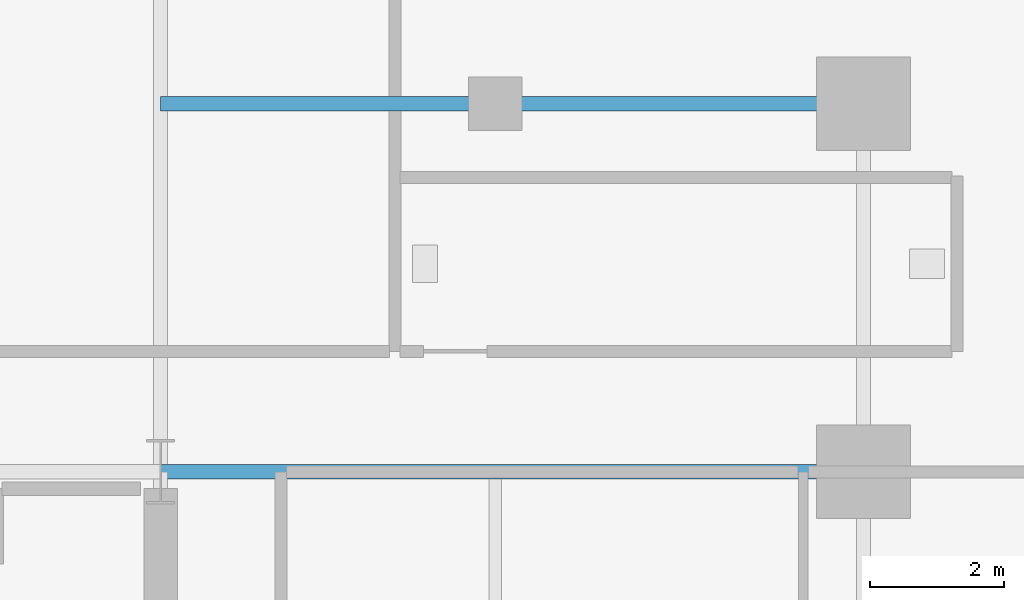
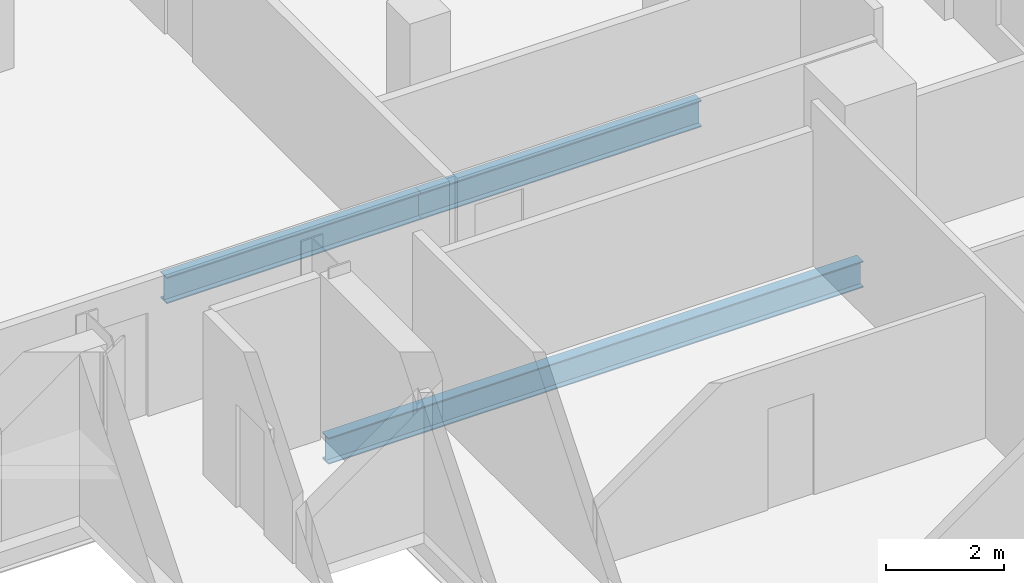
# One storey, part 14 of 23: 3 beams.
"""IFC4 building model written with IfcOpenShell, lengths in metres."""

import ifcopenshell
import ifcopenshell.guid

model = None  # the IFC model being written
_history = None  # IfcOwnerHistory: only IFC2X3 demands one
_inside = {}  # id of a spatial element -> (the spatial element, [elements in it])
_under = {}  # id of a project, library or spatial element -> (it, [spatial elements below it])
_declared = {}  # id of a project -> (the project, [libraries it declares])
_typed = {}  # id of a type object -> (the type object, [elements of that type])
_made_of = {}  # id of a material, layer set ... -> (it, [elements and type objects made of it])


def new_model(schema):
    """Start an empty IFC model of exactly this schema.

    Asked for "IFC4X3", IfcOpenShell would pick the latest addendum, in which some entities
    have other attributes; the version numbers below select the first issue.
    IFC2X3 requires an IfcOwnerHistory on every rooted entity: one is made here for all.
    """
    global model, _history
    if schema == "IFC4X3":
        model = ifcopenshell.file(schema_version=(4, 3, 0, 0))
    else:
        model = ifcopenshell.file(schema=schema)
    _inside.clear()
    _under.clear()
    _declared.clear()
    _typed.clear()
    _made_of.clear()
    _history = None
    if model.schema == "IFC2X3":
        org = make("IfcOrganization", Name="unknown")
        user = make(
            "IfcPersonAndOrganization",
            ThePerson=make("IfcPerson", FamilyName="unknown"),
            TheOrganization=org,
        )
        app = make(
            "IfcApplication",
            ApplicationDeveloper=org,
            Version="unknown",
            ApplicationFullName="unknown",
            ApplicationIdentifier="unknown",
        )
        _history = make(
            "IfcOwnerHistory",
            OwningUser=user,
            OwningApplication=app,
            ChangeAction="ADDED",
            CreationDate=0,
        )
    return model


def make(cls, **values):
    """One entity of the class cls with the attributes given. An attribute that is None is left unset."""
    return model.create_entity(
        cls, **{name: value for name, value in values.items() if value is not None}
    )


def rooted(cls, **values):
    """An entity with a GlobalId (a new one), such as an element, a storey or a relation."""
    return make(cls, GlobalId=ifcopenshell.guid.new(), OwnerHistory=_history, **values)


def si_unit(unit_type, name, prefix=None):
    """IfcSIUnit, for example si_unit("LENGTHUNIT", "METRE", prefix="MILLI")."""
    return make("IfcSIUnit", UnitType=unit_type, Prefix=prefix, Name=name)


def assignment(units):
    """IfcUnitAssignment: the units of a project."""
    return None if units is None else make("IfcUnitAssignment", Units=units)


def point(xyz):
    """IfcCartesianPoint."""
    return None if xyz is None else make("IfcCartesianPoint", Coordinates=xyz)


def direction(xyz):
    """IfcDirection."""
    return None if xyz is None else make("IfcDirection", DirectionRatios=xyz)


def frame(location, z_axis=None, x_axis=None):
    """IfcAxis2Placement3D, a coordinate frame: its origin and axes. An axis left out is left unset."""
    return make(
        "IfcAxis2Placement3D",
        Location=point(location),
        Axis=direction(z_axis),
        RefDirection=direction(x_axis),
    )


def frame_2d(location, x_axis=None):
    """IfcAxis2Placement2D, a coordinate frame in the plane: its origin and x axis."""
    return make(
        "IfcAxis2Placement2D", Location=point(location), RefDirection=direction(x_axis)
    )


def origin():
    """The frame at (0, 0, 0) with its axes left unset."""
    return frame((0.0, 0.0, 0.0))


def origin_2d():
    """The frame at (0, 0) in the plane with its x axis left unset."""
    return frame_2d((0.0, 0.0))


def place(relative_to, where):
    """IfcLocalPlacement: puts the frame where relative to a parent placement (None: the world)."""
    return make(
        "IfcLocalPlacement", PlacementRelTo=relative_to, RelativePlacement=where
    )


def context(
    kind, dimensions, precision=None, world=None, true_north=None, identifier=None
):
    """IfcGeometricRepresentationContext, for example the 3D "Model" context."""
    return make(
        "IfcGeometricRepresentationContext",
        ContextIdentifier=identifier,
        ContextType=kind,
        CoordinateSpaceDimension=dimensions,
        Precision=precision,
        WorldCoordinateSystem=world,
        TrueNorth=true_north,
    )


def subcontext(parent, identifier, kind, view, scale=None):
    """IfcGeometricRepresentationSubContext, for example "Body" below "Model"."""
    return make(
        "IfcGeometricRepresentationSubContext",
        ContextIdentifier=identifier,
        ContextType=kind,
        ParentContext=parent,
        TargetScale=scale,
        TargetView=view,
    )


def project(units=None, contexts=None):
    """IfcProject with its units and contexts."""
    return rooted(
        "IfcProject",
        Name="project",
        RepresentationContexts=contexts,
        UnitsInContext=assignment(units),
    )


def spatial(cls, under=None, at=None, **own):
    """A site, building, storey or space (cls), placed at a placement, below another one or the project."""
    s = rooted(cls, ObjectPlacement=at, **own)
    if under is not None:
        _under.setdefault(under.id(), (under, []))[1].append(s)
    return s


def profile(cls, at=None, kind="AREA", **sizes):
    """A parametric profile (cls). Its sizes go by their IFC names, for example OverallWidth=200.0."""
    return make(cls, ProfileType=kind, Position=at, **sizes)


def i_section(**sizes):
    """IfcIShapeProfileDef."""
    return profile("IfcIShapeProfileDef", **sizes)


def extrude(swept, where, along, depth):
    """IfcExtrudedAreaSolid: the profile swept, set in the frame where, extruded along a direction by depth."""
    return make(
        "IfcExtrudedAreaSolid",
        SweptArea=swept,
        Position=where,
        ExtrudedDirection=direction(along),
        Depth=depth,
    )


def shape(context_of_items, identifier, shape_type, items):
    """IfcShapeRepresentation: the items that make up one representation, for example the "Body"."""
    return make(
        "IfcShapeRepresentation",
        ContextOfItems=context_of_items,
        RepresentationIdentifier=identifier,
        RepresentationType=shape_type,
        Items=items,
    )


def material(Name=None, Category=None):
    """IfcMaterial."""
    return make("IfcMaterial", Name=Name, Category=Category)


def material_profile(
    of_material, cross_section, Name=None, Category=None, Priority=None
):
    """IfcMaterialProfile: a cross section and its material."""
    return make(
        "IfcMaterialProfile",
        Name=Name,
        Material=of_material,
        Profile=cross_section,
        Priority=Priority,
        Category=Category,
    )


def profile_set(profiles, Name=None, composite=None):
    """IfcMaterialProfileSet."""
    return make(
        "IfcMaterialProfileSet",
        Name=Name,
        MaterialProfiles=profiles,
        CompositeProfile=composite,
    )


def made_of(thing, what):
    """Note that an element or type object is made of a material, layer set ...; save() writes the relation."""
    if what is not None:
        _made_of.setdefault(what.id(), (what, []))[1].append(thing)
    return thing


def type_object(cls, material=None, **own):
    """A type object (cls), such as IfcWallType, which elements share."""
    return made_of(rooted(cls, **own), material)


def element(
    cls,
    number,
    at=None,
    inside=None,
    cuts=None,
    type_object=None,
    material=None,
    context=None,
    identifier="Body",
    shape_type=None,
    held_by="IfcProductDefinitionShape",
    body=None,
    shapes=None,
    **own,
):
    """One element of the class cls, such as IfcWall. Its Tag is "e" and its number.

    at: its placement. inside: the storey or other place that contains it. cuts: it is an
    opening in that element (IfcRelVoidsElement). A single representation is given by context,
    identifier, shape_type and body (its items); several are given by shapes. held_by: the class
    of the entity that holds the representations. save() writes the other relations.
    """
    e = rooted(cls, Tag="e%d" % number, ObjectPlacement=at, **own)
    if body is not None:
        shapes = [shape(context, identifier, shape_type, body)]
    if shapes is not None:
        e.Representation = make(held_by, Representations=shapes)
    if inside is not None:
        _inside.setdefault(inside.id(), (inside, []))[1].append(e)
    if cuts is not None:
        rooted(
            "IfcRelVoidsElement", RelatingBuildingElement=cuts, RelatedOpeningElement=e
        )
    if type_object is not None:
        _typed.setdefault(type_object.id(), (type_object, []))[1].append(e)
    return made_of(e, material)


def aggregate(whole, parts):
    """IfcRelAggregates: a whole, such as a stair, and the parts it consists of."""
    return rooted("IfcRelAggregates", RelatingObject=whole, RelatedObjects=parts)


def save(model, path):
    """Write the relations noted so far, then the file.

    IfcRelAggregates (storeys below a building ...), IfcRelContainedInSpatialStructure (elements
    in a storey), IfcRelDefinesByType, IfcRelAssociatesMaterial and IfcRelDeclares: one each for
    every whole, place, type object, material and project.
    """
    for whole, parts in _under.values():
        aggregate(whole, parts)
    for where, things in _inside.values():
        rooted(
            "IfcRelContainedInSpatialStructure",
            RelatedElements=things,
            RelatingStructure=where,
        )
    for kind, things in _typed.values():
        rooted("IfcRelDefinesByType", RelatedObjects=things, RelatingType=kind)
    for what, things in _made_of.values():
        rooted("IfcRelAssociatesMaterial", RelatedObjects=things, RelatingMaterial=what)
    for by, libraries in _declared.values():
        rooted("IfcRelDeclares", RelatingContext=by, RelatedDefinitions=libraries)
    model.write(path)


model = new_model("IFC4")

# Units and contexts
model_context = context("Model", 3, precision=1e-05, world=origin(), true_north=direction((0.0, 1.0)))
body_context = subcontext(model_context, "Body", "Model", "MODEL_VIEW")
ifc_project = project(units=[si_unit("LENGTHUNIT", "METRE"), si_unit("AREAUNIT", "SQUARE_METRE"), si_unit("VOLUMEUNIT", "CUBIC_METRE"), si_unit("PLANEANGLEUNIT", "RADIAN"), si_unit("MASSUNIT", "GRAM", prefix="KILO")], contexts=[model_context])

# Site, building, storey
site_placement = place(None, origin())
site = spatial("IfcSite", under=ifc_project, at=site_placement, CompositionType="ELEMENT")
building_placement = place(site_placement, origin())
building = spatial("IfcBuilding", under=site, at=building_placement, Name="Barlavira Tower and Art Museum", CompositionType="ELEMENT")
storey_placement = place(building_placement, frame((0.0, 0.0, 36.0)))
storey = spatial("IfcBuildingStorey", under=building, at=storey_placement, Name="L07", CompositionType="ELEMENT", Elevation=36.0)

# Beams
ifc_material = material(Name="Steel S355", Category="steel")
ifc_material_profile = material_profile(ifc_material, i_section(OverallWidth=0.214111328125, OverallDepth=0.549072265625, WebThickness=0.0146484375, FlangeThickness=0.023681640625, at=origin_2d()), Name="W530x138.0")
ifc_profile_set = profile_set([ifc_material_profile], Name="Steel S355")
beam_type = type_object("IfcBeamType", Name="Zone 1 Primary Floor Girder W530x138 Steel S355", PredefinedType="BEAM", material=ifc_profile_set)
beam_1_placement = place(storey_placement, frame((6.5, 7.5, -0.494384765625), z_axis=(1.0, 0.0, 0.0), x_axis=(0.0, 1.0, 0.0)))
element("IfcBeam", 1, at=beam_1_placement, inside=storey, type_object=beam_type, Name="L07 Girder R-E2", PredefinedType="BEAM", context=body_context, shape_type="SweptSolid", body=[
    extrude(i_section(OverallWidth=0.214111328125, OverallDepth=0.549072265625, WebThickness=0.0146484375, FlangeThickness=0.023681640625, at=origin_2d()), origin(), (0.0, 0.0, 1.0), 10.5),
])
beam_2_placement = place(storey_placement, frame((6.5, 13.0, -0.494384765625), z_axis=(1.0, 0.0, 0.0), x_axis=(0.0, 1.0, 0.0)))
element("IfcBeam", 2, at=beam_2_placement, inside=storey, type_object=beam_type, Name="L07 Girder I-N3", PredefinedType="BEAM", context=body_context, shape_type="SweptSolid", body=[
    extrude(i_section(OverallWidth=0.214111328125, OverallDepth=0.549072265625, WebThickness=0.0146484375, FlangeThickness=0.023681640625, at=origin_2d()), origin(), (0.0, 0.0, 1.0), 5.0),
])
beam_3_placement = place(storey_placement, frame((11.5, 13.0, -0.494384765625), z_axis=(1.0, 0.0, 0.0), x_axis=(0.0, 1.0, 0.0)))
element("IfcBeam", 3, at=beam_3_placement, inside=storey, type_object=beam_type, Name="L07 Girder I-N4", PredefinedType="BEAM", context=body_context, shape_type="SweptSolid", body=[
    extrude(i_section(OverallWidth=0.214111328125, OverallDepth=0.549072265625, WebThickness=0.0146484375, FlangeThickness=0.023681640625, at=origin_2d()), origin(), (0.0, 0.0, 1.0), 5.5),
])

save(model, "model.ifc")
